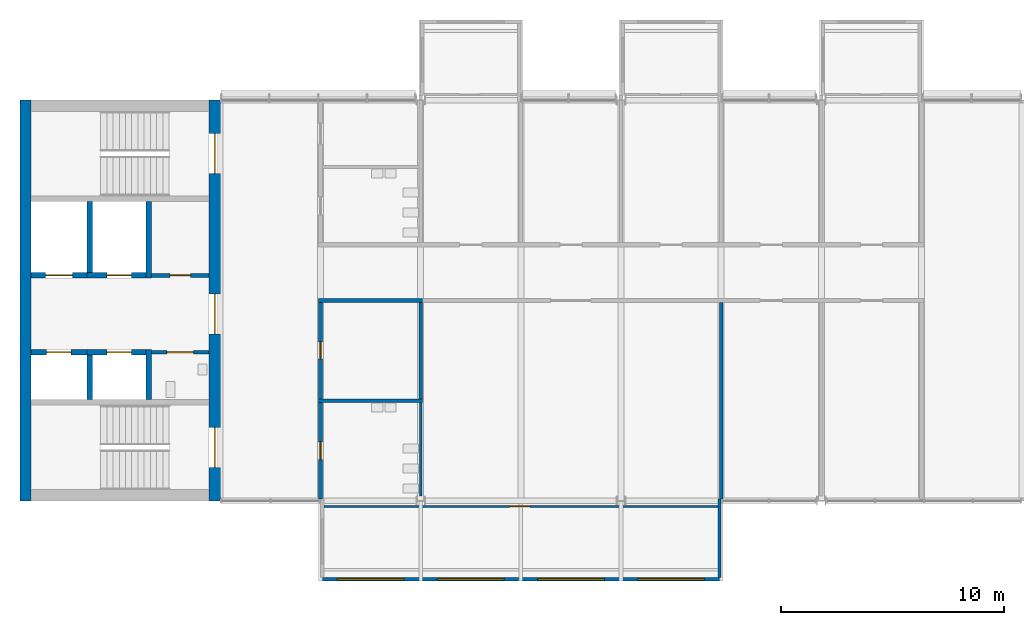
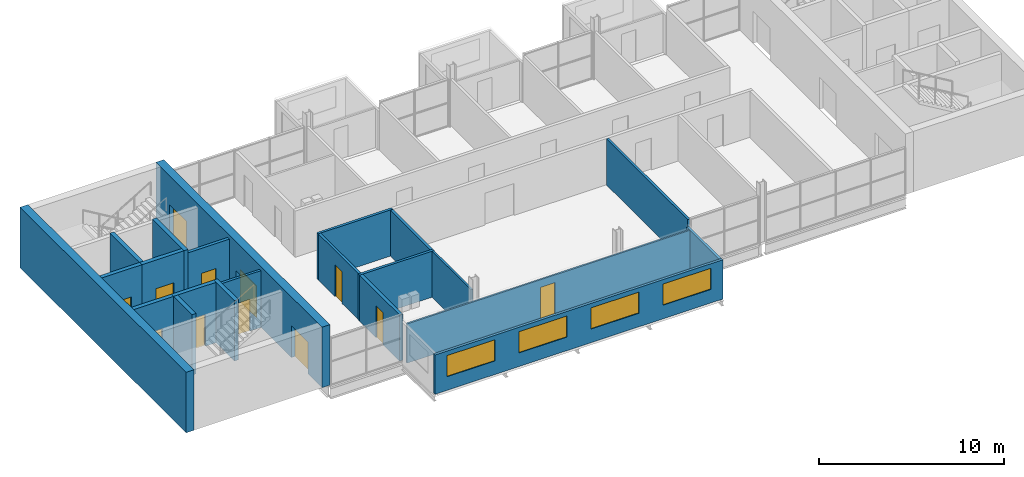
# One storey, part 5 of 11: 22 walls, 12 doors, 4 windows, 16 openings.
"""IFC4 building model written with IfcOpenShell, lengths in metres."""

from ifc_helpers import new_model, si_unit, direction, frame, frame_2d, origin, place, context, subcontext, project, spatial, rectangle, extrude, material, layer, layer_set, type_object, element, fill, save


model = new_model("IFC4")

# Units and contexts
model_context = context("Model", 3, precision=1e-05, world=origin(), true_north=direction((0.0, 1.0)))
body_context = subcontext(model_context, "Body", "Model", "MODEL_VIEW")
ifc_project = project(units=[si_unit("LENGTHUNIT", "METRE"), si_unit("AREAUNIT", "SQUARE_METRE"), si_unit("VOLUMEUNIT", "CUBIC_METRE"), si_unit("PLANEANGLEUNIT", "RADIAN"), si_unit("MASSUNIT", "GRAM", prefix="KILO")], contexts=[model_context])

# Site, building, storey
site_placement = place(None, origin())
site = spatial("IfcSite", under=ifc_project, at=site_placement, CompositionType="ELEMENT")
building_placement = place(site_placement, origin())
building = spatial("IfcBuilding", under=site, at=building_placement, Name="Corbel Yard City Hall", CompositionType="ELEMENT")
storey_placement = place(building_placement, frame((0.0, 0.0, 35.199951171875)))
storey = spatial("IfcBuildingStorey", under=building, at=storey_placement, Name="L08", CompositionType="ELEMENT", Elevation=35.199951171875)

# Walls
ifc_material_1 = material(Name="Concrete N40 (40 MPa)", Category="concrete")
ifc_layer_1 = layer(ifc_material_1, 0.25)
ifc_layer_set_1 = layer_set([ifc_layer_1], Name="Concrete N40 (40 MPa)")
wall_type_1 = type_object("IfcWallType", Name="IW2", PredefinedType="SOLIDWALL", material=ifc_layer_set_1)
wall_1_placement = place(storey_placement, frame((5.77490234375, 103.550048828125, 0.0), z_axis=(0.0, 0.0, 1.0), x_axis=(0.0, 1.0, 0.0)))
element("IfcWall", 1, at=wall_1_placement, inside=storey, type_object=wall_type_1, Name="Lift LP22 shaft wall", PredefinedType="SOLIDWALL", context=body_context, shape_type="SweptSolid", body=[
    extrude(rectangle(XDim=2.25, YDim=0.25, at=frame_2d((1.125, 0.0))), origin(), (0.0, 0.0, 1.0), 4.0),
])
wall_2_placement = place(storey_placement, frame((3.125, 103.550048828125, 0.0), z_axis=(0.0, 0.0, 1.0), x_axis=(0.0, 1.0, 0.0)))
element("IfcWall", 2, at=wall_2_placement, inside=storey, type_object=wall_type_1, Name="Lift LP22 shaft wall", PredefinedType="SOLIDWALL", context=body_context, shape_type="SweptSolid", body=[
    extrude(rectangle(XDim=2.0, YDim=0.25, at=frame_2d((1.0, 0.0))), origin(), (0.0, 0.0, 1.0), 4.0),
])

# Wall, opening, door
wall_3_placement = place(storey_placement, frame((5.64990234375, 105.675048828125, 0.0), z_axis=(0.0, 0.0, 1.0), x_axis=(-1.0, 0.0, 0.0)))
wall_3 = element("IfcWall", 3, at=wall_3_placement, inside=storey, type_object=wall_type_1, Name="Lift LP22 shaft wall", PredefinedType="SOLIDWALL", context=body_context, shape_type="SweptSolid", body=[
    extrude(rectangle(XDim=2.64990234375, YDim=0.25, at=frame_2d((1.324951171875, 0.0))), origin(), (0.0, 0.0, 1.0), 4.0),
])
opening_1_placement = place(wall_3_placement, frame((0.64990234375, 0.0, 0.0)))
opening_1 = element("IfcOpeningElement", 4, at=opening_1_placement, cuts=wall_3, Name="Opening T2-005", PredefinedType="OPENING", context=body_context, shape_type="SweptSolid", body=[
    extrude(rectangle(XDim=1.10009765625, YDim=2.10009765625, at=frame_2d((0.550048828125, 1.050048828125))), frame((0.0, 0.135009765625, 0.0), z_axis=(0.0, -1.0, 0.0), x_axis=(1.0, 0.0, 0.0)), (0.0, 0.0, 1.0), 0.27001953125),
])
ifc_material_2 = material(Name="Stainless steel Grade 316", Category="steel")
door_type_1 = type_object("IfcDoorType", Name="LD1", OperationType="DOUBLE_DOOR_SLIDING", PredefinedType="DOOR", material=ifc_material_2)
door_1_placement = place(opening_1_placement, origin())
door_1 = element("IfcDoor", 5, at=door_1_placement, inside=storey, type_object=door_type_1, Name="Lift LP22 landing door", OperationType="DOUBLE_DOOR_SLIDING", OverallHeight=2.10009765625, OverallWidth=1.10009765625, PredefinedType="DOOR", context=body_context, shape_type="SweptSolid", body=[
    extrude(rectangle(XDim=1.10009765625, YDim=2.10009765625, at=frame_2d((0.550048828125, 1.050048828125))), frame((0.0, 0.02490234375, 0.0), z_axis=(0.0, -1.0, 0.0), x_axis=(1.0, 0.0, 0.0)), (0.0, 0.0, 1.0), 0.050048828125),
])
fill(opening_1, door_1)

wall_4_placement = place(storey_placement, frame((3.0, 105.675048828125, 0.0), z_axis=(0.0, 0.0, 1.0), x_axis=(-1.0, 0.0, 0.0)))
wall_4 = element("IfcWall", 6, at=wall_4_placement, inside=storey, type_object=wall_type_1, Name="Lift LP23 shaft wall", PredefinedType="SOLIDWALL", context=body_context, shape_type="SweptSolid", body=[
    extrude(rectangle(XDim=2.5, YDim=0.25, at=frame_2d((1.25, 0.0))), origin(), (0.0, 0.0, 1.0), 4.0),
])
opening_2_placement = place(wall_4_placement, frame((0.699951171875, 0.0, 0.0)))
opening_2 = element("IfcOpeningElement", 7, at=opening_2_placement, cuts=wall_4, Name="Opening T2-006", PredefinedType="OPENING", context=body_context, shape_type="SweptSolid", body=[
    extrude(rectangle(XDim=1.10009765625, YDim=2.10009765625, at=frame_2d((0.550048828125, 1.050048828125))), frame((0.0, 0.135009765625, 0.0), z_axis=(0.0, -1.0, 0.0), x_axis=(1.0, 0.0, 0.0)), (0.0, 0.0, 1.0), 0.27001953125),
])
door_2_placement = place(opening_2_placement, origin())
door_2 = element("IfcDoor", 8, at=door_2_placement, inside=storey, type_object=door_type_1, Name="Lift LP23 landing door", OperationType="DOUBLE_DOOR_SLIDING", OverallHeight=2.10009765625, OverallWidth=1.10009765625, PredefinedType="DOOR", context=body_context, shape_type="SweptSolid", body=[
    extrude(rectangle(XDim=1.10009765625, YDim=2.10009765625, at=frame_2d((0.550048828125, 1.050048828125))), frame((0.0, 0.02490234375, 0.0), z_axis=(0.0, -1.0, 0.0), x_axis=(1.0, 0.0, 0.0)), (0.0, 0.0, 1.0), 0.050048828125),
])
fill(opening_2, door_2)

# Walls
wall_5_placement = place(storey_placement, frame((5.77490234375, 109.0, 0.0), z_axis=(0.0, 0.0, 1.0), x_axis=(0.0, 1.0, 0.0)))
element("IfcWall", 9, at=wall_5_placement, inside=storey, type_object=wall_type_1, Name="Lift LP24 shaft wall", PredefinedType="SOLIDWALL", context=body_context, shape_type="SweptSolid", body=[
    extrude(rectangle(XDim=3.449951171875, YDim=0.25, at=frame_2d((1.72509765625, 0.0))), origin(), (0.0, 0.0, 1.0), 4.0),
])
wall_6_placement = place(storey_placement, frame((3.125, 109.25, 0.0), z_axis=(0.0, 0.0, 1.0), x_axis=(0.0, 1.0, 0.0)))
element("IfcWall", 10, at=wall_6_placement, inside=storey, type_object=wall_type_1, Name="Lift LP24 shaft wall", PredefinedType="SOLIDWALL", context=body_context, shape_type="SweptSolid", body=[
    extrude(rectangle(XDim=3.199951171875, YDim=0.25, at=frame_2d((1.60009765625, 0.0))), origin(), (0.0, 0.0, 1.0), 4.0),
])

# Wall, opening, door
wall_7_placement = place(storey_placement, frame((5.64990234375, 109.125, 0.0), z_axis=(0.0, 0.0, 1.0), x_axis=(-1.0, 0.0, 0.0)))
wall_7 = element("IfcWall", 11, at=wall_7_placement, inside=storey, type_object=wall_type_1, Name="Lift LP24 shaft wall", PredefinedType="SOLIDWALL", context=body_context, shape_type="SweptSolid", body=[
    extrude(rectangle(XDim=2.64990234375, YDim=0.25, at=frame_2d((1.324951171875, 0.0))), origin(), (0.0, 0.0, 1.0), 4.0),
])
opening_3_placement = place(wall_7_placement, frame((0.64990234375, 0.0, 0.0)))
opening_3 = element("IfcOpeningElement", 12, at=opening_3_placement, cuts=wall_7, Name="Opening T2-007", PredefinedType="OPENING", context=body_context, shape_type="SweptSolid", body=[
    extrude(rectangle(XDim=1.10009765625, YDim=2.10009765625, at=frame_2d((0.550048828125, 1.050048828125))), frame((0.0, 0.135009765625, 0.0), z_axis=(0.0, -1.0, 0.0), x_axis=(1.0, 0.0, 0.0)), (0.0, 0.0, 1.0), 0.27001953125),
])
door_3_placement = place(opening_3_placement, origin())
door_3 = element("IfcDoor", 13, at=door_3_placement, inside=storey, type_object=door_type_1, Name="Lift LP24 landing door", OperationType="DOUBLE_DOOR_SLIDING", OverallHeight=2.10009765625, OverallWidth=1.10009765625, PredefinedType="DOOR", context=body_context, shape_type="SweptSolid", body=[
    extrude(rectangle(XDim=1.10009765625, YDim=2.10009765625, at=frame_2d((0.550048828125, 1.050048828125))), frame((0.0, 0.02490234375, 0.0), z_axis=(0.0, -1.0, 0.0), x_axis=(1.0, 0.0, 0.0)), (0.0, 0.0, 1.0), 0.050048828125),
])
fill(opening_3, door_3)

wall_8_placement = place(storey_placement, frame((3.0, 109.125, 0.0), z_axis=(0.0, 0.0, 1.0), x_axis=(-1.0, 0.0, 0.0)))
wall_8 = element("IfcWall", 14, at=wall_8_placement, inside=storey, type_object=wall_type_1, Name="Lift LF1 shaft wall", PredefinedType="SOLIDWALL", context=body_context, shape_type="SweptSolid", body=[
    extrude(rectangle(XDim=2.5, YDim=0.25, at=frame_2d((1.25, 0.0))), origin(), (0.0, 0.0, 1.0), 4.0),
])
opening_4_placement = place(wall_8_placement, frame((0.64990234375, 0.0, 0.0)))
opening_4 = element("IfcOpeningElement", 15, at=opening_4_placement, cuts=wall_8, Name="Opening T2-008", PredefinedType="OPENING", context=body_context, shape_type="SweptSolid", body=[
    extrude(rectangle(XDim=1.199951171875, YDim=2.10009765625, at=frame_2d((0.60009765625, 1.050048828125))), frame((0.0, 0.135009765625, 0.0), z_axis=(0.0, -1.0, 0.0), x_axis=(1.0, 0.0, 0.0)), (0.0, 0.0, 1.0), 0.27001953125),
])
door_type_2 = type_object("IfcDoorType", Name="LD2", OperationType="DOUBLE_DOOR_SLIDING", PredefinedType="DOOR", material=ifc_material_2)
door_4_placement = place(opening_4_placement, origin())
door_4 = element("IfcDoor", 16, at=door_4_placement, inside=storey, type_object=door_type_2, Name="Lift LF1 landing door", OperationType="DOUBLE_DOOR_SLIDING", OverallHeight=2.10009765625, OverallWidth=1.199951171875, PredefinedType="DOOR", context=body_context, shape_type="SweptSolid", body=[
    extrude(rectangle(XDim=1.199951171875, YDim=2.10009765625, at=frame_2d((0.60009765625, 1.050048828125))), frame((0.0, 0.02490234375, 0.0), z_axis=(0.0, -1.0, 0.0), x_axis=(1.0, 0.0, 0.0)), (0.0, 0.0, 1.0), 0.050048828125),
])
fill(opening_4, door_4)

# Wall, openings, windows
ifc_material_3 = material(Name="Anodised aluminium", Category="aluminium")
ifc_layer_2 = layer(ifc_material_3, 0.02392578125)
ifc_material_4 = material(Name="Steel Grade G550 (550 MPa yield)", Category="steel")
ifc_layer_3 = layer(ifc_material_4, 0.10009765625)
ifc_material_5 = material(Name="Gypsum plasterboard", Category="gypsum")
ifc_layer_4 = layer(ifc_material_5, 0.02587890625)
ifc_layer_set_2 = layer_set([ifc_layer_2, ifc_layer_3, ifc_layer_4], Name="Steel Grade G550 (550 MPa yield)")
wall_type_2 = type_object("IfcWallType", Name="PD1", PredefinedType="SOLIDWALL", material=ifc_layer_set_2)
wall_9_placement = place(storey_placement, frame((13.5, 95.47509765625, 0.0), z_axis=(0.0, 0.0, 1.0), x_axis=(1.0, 0.0, 0.0)))
wall_9 = element("IfcWall", 17, at=wall_9_placement, inside=storey, type_object=wall_type_2, Name="Pod outer wall L08", PredefinedType="SOLIDWALL", context=body_context, shape_type="SweptSolid", body=[
    extrude(rectangle(XDim=18.0, YDim=0.14990234375, at=frame_2d((9.0, 0.0))), origin(), (0.0, 0.0, 1.0), 2.60009765625),
])
opening_5_placement = place(wall_9_placement, frame((0.75, 0.0, 0.89990234375)))
opening_5 = element("IfcOpeningElement", 18, at=opening_5_placement, cuts=wall_9, Name="Opening WN5", PredefinedType="OPENING", context=body_context, shape_type="SweptSolid", body=[
    extrude(rectangle(XDim=3.0, YDim=1.39990234375, at=frame_2d((1.5, 0.699951171875))), frame((0.0, 0.0849609375, 0.0), z_axis=(0.0, -1.0, 0.0), x_axis=(1.0, 0.0, 0.0)), (0.0, 0.0, 1.0), 0.169921875),
])
opening_6_placement = place(wall_9_placement, frame((5.25, 0.0, 0.89990234375)))
opening_6 = element("IfcOpeningElement", 19, at=opening_6_placement, cuts=wall_9, Name="Opening WN5", PredefinedType="OPENING", context=body_context, shape_type="SweptSolid", body=[
    extrude(rectangle(XDim=3.0, YDim=1.39990234375, at=frame_2d((1.5, 0.699951171875))), frame((0.0, 0.0849609375, 0.0), z_axis=(0.0, -1.0, 0.0), x_axis=(1.0, 0.0, 0.0)), (0.0, 0.0, 1.0), 0.169921875),
])
opening_7_placement = place(wall_9_placement, frame((9.75, 0.0, 0.89990234375)))
opening_7 = element("IfcOpeningElement", 20, at=opening_7_placement, cuts=wall_9, Name="Opening WN5", PredefinedType="OPENING", context=body_context, shape_type="SweptSolid", body=[
    extrude(rectangle(XDim=3.0, YDim=1.39990234375, at=frame_2d((1.5, 0.699951171875))), frame((0.0, 0.0849609375, 0.0), z_axis=(0.0, -1.0, 0.0), x_axis=(1.0, 0.0, 0.0)), (0.0, 0.0, 1.0), 0.169921875),
])
opening_8_placement = place(wall_9_placement, frame((14.25, 0.0, 0.89990234375)))
opening_8 = element("IfcOpeningElement", 21, at=opening_8_placement, cuts=wall_9, Name="Opening WN5", PredefinedType="OPENING", context=body_context, shape_type="SweptSolid", body=[
    extrude(rectangle(XDim=3.0, YDim=1.39990234375, at=frame_2d((1.5, 0.699951171875))), frame((0.0, 0.0849609375, 0.0), z_axis=(0.0, -1.0, 0.0), x_axis=(1.0, 0.0, 0.0)), (0.0, 0.0, 1.0), 0.169921875),
])
ifc_material_6 = material(Name="Aluminium frame, double glazed low-e glass", Category="aluminium")
window_type = type_object("IfcWindowType", Name="WN5", PartitioningType="SINGLE_PANEL", PredefinedType="WINDOW", material=ifc_material_6)
window_1_placement = place(opening_5_placement, origin())
window_1 = element("IfcWindow", 22, at=window_1_placement, inside=storey, type_object=window_type, Name="Window WN5 L08", OverallHeight=1.39990234375, OverallWidth=3.0, PartitioningType="SINGLE_PANEL", PredefinedType="WINDOW", context=body_context, shape_type="SweptSolid", body=[
    extrude(rectangle(XDim=3.0, YDim=1.39990234375, at=frame_2d((1.5, 0.699951171875))), frame((0.0, 0.030029296875, 0.0), z_axis=(0.0, -1.0, 0.0), x_axis=(1.0, 0.0, 0.0)), (0.0, 0.0, 1.0), 0.06005859375),
])
fill(opening_5, window_1)
window_2_placement = place(opening_6_placement, origin())
window_2 = element("IfcWindow", 23, at=window_2_placement, inside=storey, type_object=window_type, Name="Window WN5 L08", OverallHeight=1.39990234375, OverallWidth=3.0, PartitioningType="SINGLE_PANEL", PredefinedType="WINDOW", context=body_context, shape_type="SweptSolid", body=[
    extrude(rectangle(XDim=3.0, YDim=1.39990234375, at=frame_2d((1.5, 0.699951171875))), frame((0.0, 0.030029296875, 0.0), z_axis=(0.0, -1.0, 0.0), x_axis=(1.0, 0.0, 0.0)), (0.0, 0.0, 1.0), 0.06005859375),
])
fill(opening_6, window_2)
window_3_placement = place(opening_7_placement, origin())
window_3 = element("IfcWindow", 24, at=window_3_placement, inside=storey, type_object=window_type, Name="Window WN5 L08", OverallHeight=1.39990234375, OverallWidth=3.0, PartitioningType="SINGLE_PANEL", PredefinedType="WINDOW", context=body_context, shape_type="SweptSolid", body=[
    extrude(rectangle(XDim=3.0, YDim=1.39990234375, at=frame_2d((1.5, 0.699951171875))), frame((0.0, 0.030029296875, 0.0), z_axis=(0.0, -1.0, 0.0), x_axis=(1.0, 0.0, 0.0)), (0.0, 0.0, 1.0), 0.06005859375),
])
fill(opening_7, window_3)
window_4_placement = place(opening_8_placement, origin())
window_4 = element("IfcWindow", 25, at=window_4_placement, inside=storey, type_object=window_type, Name="Window WN5 L08", OverallHeight=1.39990234375, OverallWidth=3.0, PartitioningType="SINGLE_PANEL", PredefinedType="WINDOW", context=body_context, shape_type="SweptSolid", body=[
    extrude(rectangle(XDim=3.0, YDim=1.39990234375, at=frame_2d((1.5, 0.699951171875))), frame((0.0, 0.030029296875, 0.0), z_axis=(0.0, -1.0, 0.0), x_axis=(1.0, 0.0, 0.0)), (0.0, 0.0, 1.0), 0.06005859375),
])
fill(opening_8, window_4)

# Wall, opening, door
ifc_layer_5 = layer(ifc_material_5, 0.01806640625)
ifc_layer_6 = layer(ifc_material_4, 0.06396484375)
ifc_layer_7 = layer(ifc_material_5, 0.01806640625)
ifc_layer_set_3 = layer_set([ifc_layer_5, ifc_layer_6, ifc_layer_7], Name="Steel Grade G550 (550 MPa yield)")
wall_type_3 = type_object("IfcWallType", Name="PD2", PredefinedType="PARTITIONING", material=ifc_layer_set_3)
wall_10_placement = place(storey_placement, frame((13.64990234375, 98.75, 0.0), z_axis=(0.0, 0.0, 1.0), x_axis=(1.0, 0.0, 0.0)))
wall_10 = element("IfcWall", 26, at=wall_10_placement, inside=storey, type_object=wall_type_3, Name="Pod inner wall L08", PredefinedType="PARTITIONING", context=body_context, shape_type="SweptSolid", body=[
    extrude(rectangle(XDim=17.7001953125, YDim=0.10009765625, at=frame_2d((8.85009765625, 0.0))), origin(), (0.0, 0.0, 1.0), 2.60009765625),
])
opening_9_placement = place(wall_10_placement, frame((8.35009765625, 0.0, 0.0)))
opening_9 = element("IfcOpeningElement", 27, at=opening_9_placement, cuts=wall_10, Name="Opening T2-001", PredefinedType="OPENING", context=body_context, shape_type="SweptSolid", body=[
    extrude(rectangle(XDim=0.89990234375, YDim=2.10009765625, at=frame_2d((0.449951171875, 1.050048828125))), frame((0.0, 0.06005859375, 0.0), z_axis=(0.0, -1.0, 0.0), x_axis=(1.0, 0.0, 0.0)), (0.0, 0.0, 1.0), 0.1201171875),
])
ifc_material_7 = material(Name="Timber, solid core", Category="wood")
door_type_3 = type_object("IfcDoorType", Name="XD6", OperationType="SINGLE_SWING_LEFT", PredefinedType="DOOR", material=ifc_material_7)
door_5_placement = place(opening_9_placement, frame((0.89990234375, 0.0, 0.0), z_axis=(0.0, 0.0, 1.0), x_axis=(-1.0, 0.0, 0.0)))
door_5 = element("IfcDoor", 28, at=door_5_placement, inside=storey, type_object=door_type_3, Name="Pod door L08", OperationType="SINGLE_SWING_RIGHT", OverallHeight=2.10009765625, OverallWidth=0.89990234375, PredefinedType="DOOR", context=body_context, shape_type="SweptSolid", body=[
    extrude(rectangle(XDim=0.89990234375, YDim=2.10009765625, at=frame_2d((0.449951171875, 1.050048828125))), frame((0.0, 0.02490234375, 0.0), z_axis=(0.0, -1.0, 0.0), x_axis=(1.0, 0.0, 0.0)), (0.0, 0.0, 1.0), 0.050048828125),
])
fill(opening_9, door_5)

# Walls
ifc_layer_8 = layer(ifc_material_3, 0.02392578125)
ifc_layer_9 = layer(ifc_material_4, 0.10009765625)
ifc_layer_10 = layer(ifc_material_5, 0.02587890625)
ifc_layer_set_4 = layer_set([ifc_layer_8, ifc_layer_9, ifc_layer_10], Name="Steel Grade G550 (550 MPa yield)")
wall_type_4 = type_object("IfcWallType", Name="PD3", PredefinedType="SOLIDWALL", material=ifc_layer_set_4)
wall_11_placement = place(storey_placement, frame((31.425048828125, 95.550048828125, -0.14990234375), z_axis=(0.0, 0.0, 1.0), x_axis=(0.0, 1.0, 0.0)))
element("IfcWall", 29, at=wall_11_placement, inside=storey, type_object=wall_type_4, Name="Pod side wall L08", PredefinedType="SOLIDWALL", context=body_context, shape_type="SweptSolid", body=[
    extrude(rectangle(XDim=3.52490234375, YDim=0.14990234375, at=frame_2d((1.762451171875, 0.0))), origin(), (0.0, 0.0, 1.0), 2.75),
])
ifc_layer_11 = layer(ifc_material_5, 0.028076171875)
ifc_layer_12 = layer(ifc_material_4, 0.06396484375)
ifc_layer_13 = layer(ifc_material_5, 0.028076171875)
ifc_layer_set_5 = layer_set([ifc_layer_11, ifc_layer_12, ifc_layer_13], Name="Steel Grade G550 (550 MPa yield)")
wall_type_5 = type_object("IfcWallType", Name="PT1", PredefinedType="PARTITIONING", material=ifc_layer_set_5)
wall_12_placement = place(storey_placement, frame((18.0, 99.20703125, 0.0), z_axis=(0.0, 0.0, 1.0), x_axis=(0.0, 1.0, 0.0)))
element("IfcWall", 30, at=wall_12_placement, inside=storey, type_object=wall_type_5, Name="Partition", PredefinedType="PARTITIONING", context=body_context, shape_type="SweptSolid", body=[
    extrude(rectangle(XDim=4.212890625, YDim=0.1201171875, at=frame_2d((2.1064453125, 0.0))), origin(), (0.0, 0.0, 1.0), 3.050048828125),
])

# Wall, opening, door
ifc_layer_14 = layer(ifc_material_5, 0.031982421875)
ifc_layer_15 = layer(ifc_material_4, 0.135986328125)
ifc_layer_16 = layer(ifc_material_5, 0.031982421875)
ifc_layer_set_6 = layer_set([ifc_layer_14, ifc_layer_15, ifc_layer_16], Name="Steel Grade G550 (550 MPa yield)")
wall_type_6 = type_object("IfcWallType", Name="PT2", PredefinedType="PARTITIONING", material=ifc_layer_set_6)
wall_13_placement = place(storey_placement, frame((13.5, 99.074951171875, 0.0), z_axis=(0.0, 0.0, 1.0), x_axis=(0.0, 1.0, 0.0)))
wall_13 = element("IfcWall", 31, at=wall_13_placement, inside=storey, type_object=wall_type_6, Name="Acoustic wall", PredefinedType="PARTITIONING", context=body_context, shape_type="SweptSolid", body=[
    extrude(rectangle(XDim=4.344970703125, YDim=0.199951171875, at=frame_2d((2.17236328125, 0.0))), origin(), (0.0, 0.0, 1.0), 3.050048828125),
])
opening_10_placement = place(wall_13_placement, frame((1.77490234375, 0.0, 0.0)))
opening_10 = element("IfcOpeningElement", 32, at=opening_10_placement, cuts=wall_13, Name="Opening T2-013", PredefinedType="OPENING", context=body_context, shape_type="SweptSolid", body=[
    extrude(rectangle(XDim=0.800048828125, YDim=2.10009765625, at=frame_2d((0.39990234375, 1.050048828125))), frame((0.0, 0.10986328125, 0.0), z_axis=(0.0, -1.0, 0.0), x_axis=(1.0, 0.0, 0.0)), (0.0, 0.0, 1.0), 0.219970703125),
])
ifc_material_8 = material(Name="Timber", Category="wood")
door_type_4 = type_object("IfcDoorType", Name="D44", OperationType="SINGLE_SWING_LEFT", PredefinedType="DOOR", material=ifc_material_8)
door_6_placement = place(opening_10_placement, frame((0.800048828125, 0.0, 0.0), z_axis=(0.0, 0.0, 1.0), x_axis=(-1.0, 0.0, 0.0)))
door_6 = element("IfcDoor", 33, at=door_6_placement, inside=storey, type_object=door_type_4, Name="Door Women's WC 0804", OperationType="SINGLE_SWING_LEFT", OverallHeight=2.10009765625, OverallWidth=0.800048828125, PredefinedType="DOOR", context=body_context, shape_type="SweptSolid", body=[
    extrude(rectangle(XDim=0.800048828125, YDim=2.10009765625, at=frame_2d((0.39990234375, 1.050048828125))), frame((0.0, 0.02490234375, 0.0), z_axis=(0.0, -1.0, 0.0), x_axis=(1.0, 0.0, 0.0)), (0.0, 0.0, 1.0), 0.050048828125),
])
fill(opening_10, door_6)

ifc_layer_17 = layer(ifc_material_5, 0.031982421875)
ifc_layer_18 = layer(ifc_material_4, 0.095947265625)
ifc_layer_19 = layer(ifc_material_5, 0.031982421875)
ifc_layer_set_7 = layer_set([ifc_layer_17, ifc_layer_18, ifc_layer_19], Name="Steel Grade G550 (550 MPa yield)")
wall_type_7 = type_object("IfcWallType", Name="PT3", PredefinedType="PARTITIONING", material=ifc_layer_set_7)
wall_14_placement = place(storey_placement, frame((8.5, 105.675048828125, 0.0), z_axis=(0.0, 0.0, 1.0), x_axis=(-1.0, 0.0, 0.0)))
wall_14 = element("IfcWall", 34, at=wall_14_placement, inside=storey, type_object=wall_type_7, Name="Accessible WC wall", PredefinedType="PARTITIONING", context=body_context, shape_type="SweptSolid", body=[
    extrude(rectangle(XDim=2.60009765625, YDim=0.159912109375, at=frame_2d((1.300048828125, 0.0))), origin(), (0.0, 0.0, 1.0), 3.75),
])
opening_11_placement = place(wall_14_placement, frame((0.699951171875, 0.0, 0.0)))
opening_11 = element("IfcOpeningElement", 35, at=opening_11_placement, cuts=wall_14, Name="Opening T2-028", PredefinedType="OPENING", context=body_context, shape_type="SweptSolid", body=[
    extrude(rectangle(XDim=1.199951171875, YDim=2.10009765625, at=frame_2d((0.60009765625, 1.050048828125))), frame((0.0, 0.08984375, 0.0), z_axis=(0.0, -1.0, 0.0), x_axis=(1.0, 0.0, 0.0)), (0.0, 0.0, 1.0), 0.179931640625),
])
ifc_material_9 = material(Name="Steel Grade G250", Category="steel")
door_type_5 = type_object("IfcDoorType", Name="FD7", OperationType="SINGLE_SWING_LEFT", PredefinedType="DOOR", material=ifc_material_9)
door_7_placement = place(opening_11_placement, origin())
door_7 = element("IfcDoor", 36, at=door_7_placement, inside=storey, type_object=door_type_5, Name="Door accessible WC West", OperationType="SINGLE_SWING_LEFT", OverallHeight=2.10009765625, OverallWidth=1.199951171875, PredefinedType="DOOR", context=body_context, shape_type="SweptSolid", body=[
    extrude(rectangle(XDim=1.199951171875, YDim=2.10009765625, at=frame_2d((0.60009765625, 1.050048828125))), frame((0.0, 0.02490234375, 0.0), z_axis=(0.0, -1.0, 0.0), x_axis=(1.0, 0.0, 0.0)), (0.0, 0.0, 1.0), 0.050048828125),
])
fill(opening_11, door_7)

# Walls
wall_15_placement = place(storey_placement, frame((13.39990234375, 103.5, 0.0), z_axis=(0.0, 0.0, 1.0), x_axis=(1.0, 0.0, 0.0)))
element("IfcWall", 37, at=wall_15_placement, inside=storey, type_object=wall_type_7, Name="Fire-resisting wall", PredefinedType="PARTITIONING", context=body_context, shape_type="SweptSolid", body=[
    extrude(rectangle(XDim=4.68017578125, YDim=0.159912109375, at=frame_2d((2.340087890625, 0.0))), origin(), (0.0, 0.0, 1.0), 3.050048828125),
])
wall_16_placement = place(storey_placement, frame((13.419921875, 108.0, 0.0), z_axis=(0.0, 0.0, 1.0), x_axis=(1.0, 0.0, 0.0)))
element("IfcWall", 38, at=wall_16_placement, inside=storey, type_object=wall_type_7, Name="Fire-resisting wall", PredefinedType="PARTITIONING", context=body_context, shape_type="SweptSolid", body=[
    extrude(rectangle(XDim=4.66015625, YDim=0.159912109375, at=frame_2d((2.330078125, 0.0))), origin(), (0.0, 0.0, 1.0), 3.050048828125),
])

# Wall, opening, door
wall_17_placement = place(storey_placement, frame((13.5, 103.580078125, 0.0), z_axis=(0.0, 0.0, 1.0), x_axis=(0.0, 1.0, 0.0)))
wall_17 = element("IfcWall", 39, at=wall_17_placement, inside=storey, type_object=wall_type_7, Name="Fire-resisting wall", PredefinedType="PARTITIONING", context=body_context, shape_type="SweptSolid", body=[
    extrude(rectangle(XDim=4.33984375, YDim=0.159912109375, at=frame_2d((2.169921875, 0.0))), origin(), (0.0, 0.0, 1.0), 3.050048828125),
])
opening_12_placement = place(wall_17_placement, frame((1.794921875, 0.0, 0.0)))
opening_12 = element("IfcOpeningElement", 40, at=opening_12_placement, cuts=wall_17, Name="Opening T2-014", PredefinedType="OPENING", context=body_context, shape_type="SweptSolid", body=[
    extrude(rectangle(XDim=0.75, YDim=2.10009765625, at=frame_2d((0.375, 1.050048828125))), frame((0.0, 0.08984375, 0.0), z_axis=(0.0, -1.0, 0.0), x_axis=(1.0, 0.0, 0.0)), (0.0, 0.0, 1.0), 0.179931640625),
])
door_type_6 = type_object("IfcDoorType", Name="FD42", OperationType="SINGLE_SWING_LEFT", PredefinedType="DOOR", material=ifc_material_9)
door_8_placement = place(opening_12_placement, frame((0.75, 0.0, 0.0), z_axis=(0.0, 0.0, 1.0), x_axis=(-1.0, 0.0, 0.0)))
door_8 = element("IfcDoor", 41, at=door_8_placement, inside=storey, type_object=door_type_6, Name="Door Cleaners' Room 0805", OperationType="SINGLE_SWING_RIGHT", OverallHeight=2.10009765625, OverallWidth=0.75, PredefinedType="DOOR", context=body_context, shape_type="SweptSolid", body=[
    extrude(rectangle(XDim=0.75, YDim=2.10009765625, at=frame_2d((0.375, 1.050048828125))), frame((0.0, 0.02490234375, 0.0), z_axis=(0.0, -1.0, 0.0), x_axis=(1.0, 0.0, 0.0)), (0.0, 0.0, 1.0), 0.050048828125),
])
fill(opening_12, door_8)

# Wall
wall_18_placement = place(storey_placement, frame((18.0, 103.580078125, 0.0), z_axis=(0.0, 0.0, 1.0), x_axis=(0.0, 1.0, 0.0)))
element("IfcWall", 42, at=wall_18_placement, inside=storey, type_object=wall_type_7, Name="Fire-resisting wall", PredefinedType="PARTITIONING", context=body_context, shape_type="SweptSolid", body=[
    extrude(rectangle(XDim=4.31982421875, YDim=0.159912109375, at=frame_2d((2.159912109375, 0.0))), origin(), (0.0, 0.0, 1.0), 3.050048828125),
])

# Wall, opening, door
ifc_material_10 = material(Name="Concrete block", Category="concrete")
ifc_layer_20 = layer(ifc_material_10, 0.18994140625)
ifc_layer_set_8 = layer_set([ifc_layer_20], Name="Concrete block")
wall_type_8 = type_object("IfcWallType", Name="PT4", PredefinedType="PARTITIONING", material=ifc_layer_set_8)
wall_19_placement = place(storey_placement, frame((8.5, 109.125, 0.0), z_axis=(0.0, 0.0, 1.0), x_axis=(-1.0, 0.0, 0.0)))
wall_19 = element("IfcWall", 43, at=wall_19_placement, inside=storey, type_object=wall_type_8, Name="Riser wall", PredefinedType="PARTITIONING", context=body_context, shape_type="SweptSolid", body=[
    extrude(rectangle(XDim=2.60009765625, YDim=0.18994140625, at=frame_2d((1.300048828125, 0.0))), origin(), (0.0, 0.0, 1.0), 3.75),
])
opening_13_placement = place(wall_19_placement, frame((0.840087890625, 0.0, 0.0)))
opening_13 = element("IfcOpeningElement", 44, at=opening_13_placement, cuts=wall_19, Name="Opening T2-029", PredefinedType="OPENING", context=body_context, shape_type="SweptSolid", body=[
    extrude(rectangle(XDim=0.919921875, YDim=2.10009765625, at=frame_2d((0.4599609375, 1.050048828125))), frame((0.0, 0.10498046875, 0.0), z_axis=(0.0, -1.0, 0.0), x_axis=(1.0, 0.0, 0.0)), (0.0, 0.0, 1.0), 0.2099609375),
])
door_type_7 = type_object("IfcDoorType", Name="FS4", OperationType="SINGLE_SWING_LEFT", PredefinedType="DOOR", material=ifc_material_9)
door_9_placement = place(opening_13_placement, frame((0.919921875, 0.0, 0.0), z_axis=(0.0, 0.0, 1.0), x_axis=(-1.0, 0.0, 0.0)))
door_9 = element("IfcDoor", 45, at=door_9_placement, inside=storey, type_object=door_type_7, Name="Door riser West", OperationType="SINGLE_SWING_RIGHT", OverallHeight=2.10009765625, OverallWidth=0.919921875, PredefinedType="DOOR", context=body_context, shape_type="SweptSolid", body=[
    extrude(rectangle(XDim=0.919921875, YDim=2.10009765625, at=frame_2d((0.4599609375, 1.050048828125))), frame((0.0, 0.02490234375, 0.0), z_axis=(0.0, -1.0, 0.0), x_axis=(1.0, 0.0, 0.0)), (0.0, 0.0, 1.0), 0.050048828125),
])
fill(opening_13, door_9)

# Walls
ifc_layer_21 = layer(ifc_material_5, 0.031982421875)
ifc_layer_22 = layer(ifc_material_4, 0.0859375)
ifc_layer_23 = layer(ifc_material_5, 0.031982421875)
ifc_layer_set_9 = layer_set([ifc_layer_21, ifc_layer_22, ifc_layer_23], Name="Steel Grade G550 (550 MPa yield)")
wall_type_9 = type_object("IfcWallType", Name="PT7", PredefinedType="PARTITIONING", material=ifc_layer_set_9)
wall_20_placement = place(storey_placement, frame((31.5, 99.074951171875, 0.0), z_axis=(0.0, 0.0, 1.0), x_axis=(0.0, 1.0, 0.0)))
element("IfcWall", 46, at=wall_20_placement, inside=storey, type_object=wall_type_9, Name="Suite partition", PredefinedType="PARTITIONING", context=body_context, shape_type="SweptSolid", body=[
    extrude(rectangle(XDim=8.824951171875, YDim=0.14990234375, at=frame_2d((4.41259765625, 0.0))), origin(), (0.0, 0.0, 1.0), 3.050048828125),
])
ifc_material_11 = material(Name="Concrete N50 (50 MPa)", Category="concrete")
ifc_layer_24 = layer(ifc_material_11, 0.5)
ifc_layer_set_10 = layer_set([ifc_layer_24], Name="Concrete N50 (50 MPa)")
wall_type_10 = type_object("IfcWallType", Name="Trunk wall 500", PredefinedType="SHEAR", material=ifc_layer_set_10)
wall_21_placement = place(storey_placement, frame((0.25, 99.0, 0.0), z_axis=(0.0, 0.0, 1.0), x_axis=(0.0, 1.0, 0.0)))
element("IfcWall", 47, at=wall_21_placement, inside=storey, type_object=wall_type_10, Name="Trunk W west wall", PredefinedType="SHEAR", context=body_context, shape_type="SweptSolid", body=[
    extrude(rectangle(XDim=18.0, YDim=0.5, at=frame_2d((9.0, 0.0))), origin(), (0.0, 0.0, 1.0), 4.0),
])

# Wall, openings, doors
wall_22_placement = place(storey_placement, frame((8.75, 99.0, 0.0), z_axis=(0.0, 0.0, 1.0), x_axis=(0.0, 1.0, 0.0)))
wall_22 = element("IfcWall", 48, at=wall_22_placement, inside=storey, type_object=wall_type_10, Name="Trunk W east wall", PredefinedType="SHEAR", context=body_context, shape_type="SweptSolid", body=[
    extrude(rectangle(XDim=18.0, YDim=0.5, at=frame_2d((9.0, 0.0))), origin(), (0.0, 0.0, 1.0), 4.0),
])
opening_14_placement = place(wall_22_placement, frame((1.5, 0.0, 0.0)))
opening_14 = element("IfcOpeningElement", 49, at=opening_14_placement, cuts=wall_22, Name="Opening T2-025", PredefinedType="OPENING", context=body_context, shape_type="SweptSolid", body=[
    extrude(rectangle(XDim=1.800048828125, YDim=2.10009765625, at=frame_2d((0.89990234375, 1.050048828125))), frame((0.0, 0.260009765625, 0.0), z_axis=(0.0, -1.0, 0.0), x_axis=(1.0, 0.0, 0.0)), (0.0, 0.0, 1.0), 0.52001953125),
])
opening_15_placement = place(wall_22_placement, frame((14.699951171875, 0.0, 0.0)))
opening_15 = element("IfcOpeningElement", 50, at=opening_15_placement, cuts=wall_22, Name="Opening T2-026", PredefinedType="OPENING", context=body_context, shape_type="SweptSolid", body=[
    extrude(rectangle(XDim=1.800048828125, YDim=2.10009765625, at=frame_2d((0.89990234375, 1.050048828125))), frame((0.0, 0.260009765625, 0.0), z_axis=(0.0, -1.0, 0.0), x_axis=(1.0, 0.0, 0.0)), (0.0, 0.0, 1.0), 0.52001953125),
])
opening_16_placement = place(wall_22_placement, frame((7.5, 0.0, 0.0)))
opening_16 = element("IfcOpeningElement", 51, at=opening_16_placement, cuts=wall_22, Name="Opening T2-027", PredefinedType="OPENING", context=body_context, shape_type="SweptSolid", body=[
    extrude(rectangle(XDim=1.800048828125, YDim=2.10009765625, at=frame_2d((0.89990234375, 1.050048828125))), frame((0.0, 0.260009765625, 0.0), z_axis=(0.0, -1.0, 0.0), x_axis=(1.0, 0.0, 0.0)), (0.0, 0.0, 1.0), 0.52001953125),
])
door_type_8 = type_object("IfcDoorType", Name="FS3", OperationType="DOUBLE_DOOR_SINGLE_SWING", PredefinedType="DOOR", material=ifc_material_9)
door_10_placement = place(opening_14_placement, origin())
door_10 = element("IfcDoor", 52, at=door_10_placement, inside=storey, type_object=door_type_8, Name="Door ST-W1", OperationType="DOUBLE_DOOR_SINGLE_SWING", OverallHeight=2.10009765625, OverallWidth=1.800048828125, PredefinedType="DOOR", context=body_context, shape_type="SweptSolid", body=[
    extrude(rectangle(XDim=1.800048828125, YDim=2.10009765625, at=frame_2d((0.89990234375, 1.050048828125))), frame((0.0, 0.02490234375, 0.0), z_axis=(0.0, -1.0, 0.0), x_axis=(1.0, 0.0, 0.0)), (0.0, 0.0, 1.0), 0.050048828125),
])
fill(opening_14, door_10)
door_11_placement = place(opening_15_placement, origin())
door_11 = element("IfcDoor", 53, at=door_11_placement, inside=storey, type_object=door_type_8, Name="Door ST-W2", OperationType="DOUBLE_DOOR_SINGLE_SWING", OverallHeight=2.10009765625, OverallWidth=1.800048828125, PredefinedType="DOOR", context=body_context, shape_type="SweptSolid", body=[
    extrude(rectangle(XDim=1.800048828125, YDim=2.10009765625, at=frame_2d((0.89990234375, 1.050048828125))), frame((0.0, 0.02490234375, 0.0), z_axis=(0.0, -1.0, 0.0), x_axis=(1.0, 0.0, 0.0)), (0.0, 0.0, 1.0), 0.050048828125),
])
fill(opening_15, door_11)
door_12_placement = place(opening_16_placement, origin())
door_12 = element("IfcDoor", 54, at=door_12_placement, inside=storey, type_object=door_type_8, Name="Door lift lobby West", OperationType="DOUBLE_DOOR_SINGLE_SWING", OverallHeight=2.10009765625, OverallWidth=1.800048828125, PredefinedType="DOOR", context=body_context, shape_type="SweptSolid", body=[
    extrude(rectangle(XDim=1.800048828125, YDim=2.10009765625, at=frame_2d((0.89990234375, 1.050048828125))), frame((0.0, 0.02490234375, 0.0), z_axis=(0.0, -1.0, 0.0), x_axis=(1.0, 0.0, 0.0)), (0.0, 0.0, 1.0), 0.050048828125),
])
fill(opening_16, door_12)

save(model, "model.ifc")
